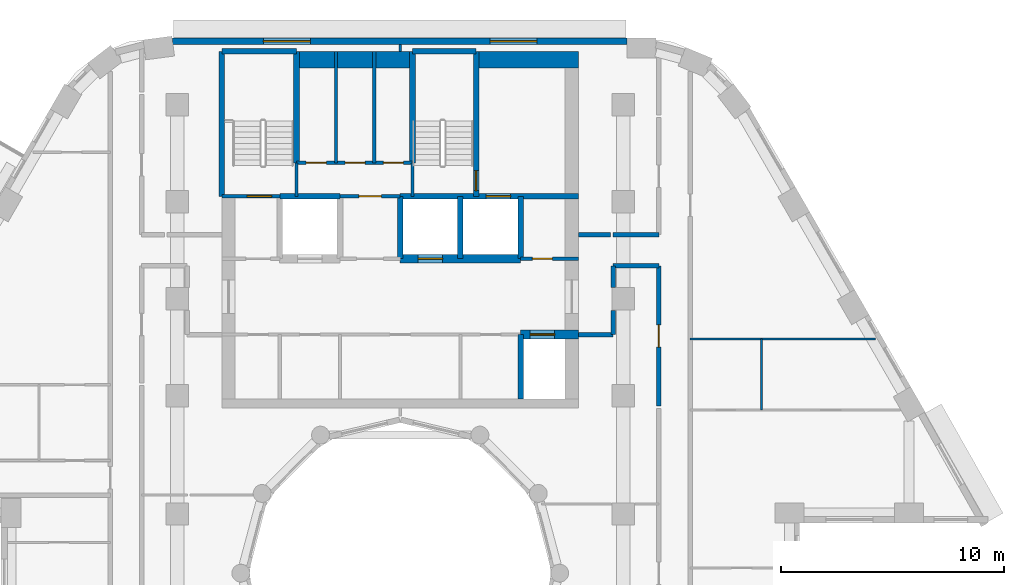
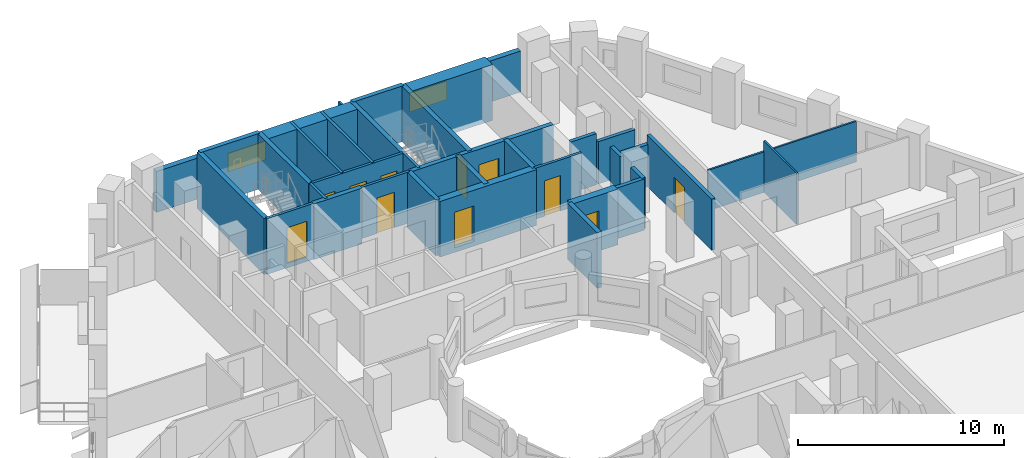
# One storey, part 8 of 13: 35 walls, 11 doors, 2 windows, 13 openings.
"""IFC4 building model written with IfcOpenShell, lengths in metres."""

from ifc_helpers import new_model, si_unit, direction, frame, frame_2d, origin, place, context, subcontext, project, spatial, rectangle, extrude, material, layer, layer_set, type_object, element, fill, save


model = new_model("IFC4")

# Units and contexts
model_context = context("Model", 3, precision=1e-05, world=origin(), true_north=direction((0.0, 1.0)))
body_context = subcontext(model_context, "Body", "Model", "MODEL_VIEW")
ifc_project = project(units=[si_unit("LENGTHUNIT", "METRE"), si_unit("AREAUNIT", "SQUARE_METRE"), si_unit("VOLUMEUNIT", "CUBIC_METRE"), si_unit("PLANEANGLEUNIT", "RADIAN"), si_unit("MASSUNIT", "GRAM", prefix="KILO")], contexts=[model_context])

# Site, building, storey
site_placement = place(None, origin())
site = spatial("IfcSite", under=ifc_project, at=site_placement, CompositionType="ELEMENT")
building_placement = place(site_placement, origin())
building = spatial("IfcBuilding", under=site, at=building_placement, Name="Nakaniwa Court", CompositionType="ELEMENT")
storey_placement = place(building_placement, frame((0.0, 0.0, 147.0)))
storey = spatial("IfcBuildingStorey", under=building, at=storey_placement, Name="L38", CompositionType="ELEMENT", Elevation=147.0)

# Wall, opening, door
ifc_material_1 = material(Name="Acoustic double stud partition")
ifc_layer_1 = layer(ifc_material_1, 0.199951171875)
ifc_layer_set_1 = layer_set([ifc_layer_1], Name="Acoustic double stud partition")
wall_type_1 = type_object("IfcWallType", Name="Acoustic double stud partition 200", PredefinedType="PARTITIONING", material=ifc_layer_set_1)
wall_1_placement = place(storey_placement, frame((91.60009765625, 87.4873046875, 0.0), z_axis=(0.0, 0.0, 1.0), x_axis=(0.0, 1.0, 0.0)))
wall_1 = element("IfcWall", 1, at=wall_1_placement, inside=storey, type_object=wall_type_1, Name="Partition PW-076", PredefinedType="PARTITIONING", context=body_context, shape_type="SweptSolid", body=[
    extrude(rectangle(XDim=6.28759765625, YDim=0.199951171875, at=frame_2d((3.143798828125, 0.0))), origin(), (0.0, 0.0, 1.0), 3.02490234375),
])
opening_1_placement = place(wall_1_placement, frame((2.64501953125, 0.0, 0.0)))
opening_1 = element("IfcOpeningElement", 2, at=opening_1_placement, cuts=wall_1, Name="Opening D-02-10", PredefinedType="OPENING", context=body_context, shape_type="SweptSolid", body=[
    extrude(rectangle(XDim=1.0, YDim=2.10009765625, at=frame_2d((0.5, 1.050048828125))), frame((0.0, 0.10986328125, 0.0), z_axis=(0.0, -1.0, 0.0), x_axis=(1.0, 0.0, 0.0)), (0.0, 0.0, 1.0), 0.219970703125),
])
ifc_material_2 = material(Name="Solid core timber door set, black veneer", Category="wood")
door_type_1 = type_object("IfcDoorType", Name="Internal door 1000", OperationType="NOTDEFINED", PredefinedType="DOOR", material=ifc_material_2)
door_1_placement = place(opening_1_placement, origin())
door_1 = element("IfcDoor", 3, at=door_1_placement, inside=storey, type_object=door_type_1, Name="Door D-02-10 L38-051", OperationType="SINGLE_SWING_RIGHT", OverallHeight=2.10009765625, OverallWidth=1.0, PredefinedType="DOOR", context=body_context, shape_type="SweptSolid", body=[
    extrude(rectangle(XDim=1.0, YDim=2.10009765625, at=frame_2d((0.5, 1.050048828125))), frame((0.0, 0.02490234375, 0.0), z_axis=(0.0, -1.0, 0.0), x_axis=(1.0, 0.0, 0.0)), (0.0, 0.0, 1.0), 0.050048828125),
])
fill(opening_1, door_1)

# Walls
wall_2_placement = place(storey_placement, frame((89.550048828125, 90.699951171875, 0.0), z_axis=(0.0, 0.0, 1.0), x_axis=(0.0, 1.0, 0.0)))
element("IfcWall", 4, at=wall_2_placement, inside=storey, type_object=wall_type_1, Name="Partition PW-088", PredefinedType="PARTITIONING", context=body_context, shape_type="SweptSolid", body=[
    extrude(rectangle(XDim=1.082763671875, YDim=0.199951171875, at=frame_2d((0.54150390625, 0.0))), origin(), (0.0, 0.0, 1.0), 3.02490234375),
])
wall_3_placement = place(storey_placement, frame((89.550048828125, 92.817138671875, 0.0), z_axis=(0.0, 0.0, 1.0), x_axis=(0.0, 1.0, 0.0)))
element("IfcWall", 5, at=wall_3_placement, inside=storey, type_object=wall_type_1, Name="Partition PW-089", PredefinedType="PARTITIONING", context=body_context, shape_type="SweptSolid", body=[
    extrude(rectangle(XDim=0.957763671875, YDim=0.199951171875, at=frame_2d((0.47900390625, 0.0))), origin(), (0.0, 0.0, 1.0), 3.02490234375),
])
wall_4_placement = place(storey_placement, frame((89.550048828125, 93.77490234375, 0.0), z_axis=(0.0, 0.0, 1.0), x_axis=(1.0, 0.0, 0.0)))
element("IfcWall", 6, at=wall_4_placement, inside=storey, type_object=wall_type_1, Name="Partition PW-093", PredefinedType="PARTITIONING", context=body_context, shape_type="SweptSolid", body=[
    extrude(rectangle(XDim=2.050048828125, YDim=0.199951171875, at=frame_2d((1.02490234375, 0.0))), origin(), (0.0, 0.0, 1.0), 2.5048828125),
])
wall_5_placement = place(storey_placement, frame((88.0, 90.699951171875, 0.0), z_axis=(0.0, 0.0, 1.0), x_axis=(1.0, 0.0, 0.0)))
element("IfcWall", 7, at=wall_5_placement, inside=storey, type_object=wall_type_1, Name="Partition PW-095", PredefinedType="PARTITIONING", context=body_context, shape_type="SweptSolid", body=[
    extrude(rectangle(XDim=1.550048828125, YDim=0.199951171875, at=frame_2d((0.77490234375, 0.0))), origin(), (0.0, 0.0, 1.0), 3.02490234375),
])
wall_6_placement = place(storey_placement, frame((88.0, 95.175048828125, 0.0), z_axis=(0.0, 0.0, 1.0), x_axis=(1.0, 0.0, 0.0)))
element("IfcWall", 8, at=wall_6_placement, inside=storey, type_object=wall_type_1, Name="Partition PW-098", PredefinedType="PARTITIONING", context=body_context, shape_type="SweptSolid", body=[
    extrude(rectangle(XDim=1.4228515625, YDim=0.199951171875, at=frame_2d((0.71142578125, 0.0))), origin(), (0.0, 0.0, 1.0), 3.02490234375),
])
wall_7_placement = place(storey_placement, frame((89.537109375, 95.175048828125, 0.0), z_axis=(0.0, 0.0, 1.0), x_axis=(1.0, 0.0, 0.0)))
element("IfcWall", 9, at=wall_7_placement, inside=storey, type_object=wall_type_1, Name="Partition PW-099", PredefinedType="PARTITIONING", context=body_context, shape_type="SweptSolid", body=[
    extrude(rectangle(XDim=2.06298828125, YDim=0.199951171875, at=frame_2d((1.031494140625, 0.0))), origin(), (0.0, 0.0, 1.0), 2.5048828125),
])

# Wall, openings, windows
ifc_material_3 = material(Name="Charcoal ceramic cladding")
ifc_layer_2 = layer(ifc_material_3, 0.02, Name="Ceramic cladding")
ifc_material_4 = material(Name="Ventilated air cavity")
ifc_layer_3 = layer(ifc_material_4, 0.04, ventilated=True, Name="Ventilated cavity")
ifc_material_5 = material(Name="Mineral wool insulation")
ifc_layer_4 = layer(ifc_material_5, 0.1, Name="Insulation")
ifc_material_6 = material(Name="Cement bonded sheathing board")
ifc_layer_5 = layer(ifc_material_6, 0.012, Name="Sheathing")
ifc_material_7 = material(Name="Cold-formed galvanised stud frame with mineral wool infill")
ifc_layer_6 = layer(ifc_material_7, 0.1, Name="Stud frame")
ifc_material_8 = material(Name="Fire-rated gypsum plasterboard lining")
ifc_layer_7 = layer(ifc_material_8, 0.028, Name="Lining")
ifc_layer_set_2 = layer_set([ifc_layer_2, ifc_layer_3, ifc_layer_4, ifc_layer_5, ifc_layer_6, ifc_layer_7], Name="Charcoal ceramic faced external wall system")
wall_type_2 = type_object("IfcWallType", Name="Black ceramic faced external wall 300", PredefinedType="SOLIDWALL", material=ifc_layer_set_2)
wall_8_placement = place(storey_placement, frame((90.1787109375, 103.85009765625, 0.0), z_axis=(0.0, 0.0, 1.0), x_axis=(-1.0, 0.0, 0.0)))
wall_8 = element("IfcWall", 10, at=wall_8_placement, inside=storey, type_object=wall_type_2, Name="L38 external wall 08", PredefinedType="SOLIDWALL", context=body_context, shape_type="SweptSolid", body=[
    extrude(rectangle(XDim=20.391357421875, YDim=0.300048828125, at=frame_2d((10.19580078125, 0.0))), origin(), (0.0, 0.0, 1.0), 2.425048828125),
])
opening_2_placement = place(wall_8_placement, frame((4.05126953125, 0.0, 0.89990234375)))
opening_2 = element("IfcOpeningElement", 11, at=opening_2_placement, cuts=wall_8, Name="Opening W7.09", PredefinedType="OPENING", context=body_context, shape_type="SweptSolid", body=[
    extrude(rectangle(XDim=2.10009765625, YDim=1.10009765625, at=frame_2d((1.050048828125, 0.550048828125))), frame((0.0, 0.159912109375, 0.0), z_axis=(0.0, -1.0, 0.0), x_axis=(1.0, 0.0, 0.0)), (0.0, 0.0, 1.0), 0.320068359375),
])
opening_3_placement = place(wall_8_placement, frame((14.211669921875, 0.0, 0.89990234375)))
opening_3 = element("IfcOpeningElement", 12, at=opening_3_placement, cuts=wall_8, Name="Opening W7.10", PredefinedType="OPENING", context=body_context, shape_type="SweptSolid", body=[
    extrude(rectangle(XDim=2.10009765625, YDim=1.10009765625, at=frame_2d((1.050048828125, 0.550048828125))), frame((0.0, 0.159912109375, 0.0), z_axis=(0.0, -1.0, 0.0), x_axis=(1.0, 0.0, 0.0)), (0.0, 0.0, 1.0), 0.320068359375),
])
ifc_material_9 = material(Name="Black anodised aluminium frame with dark low-E laminated double glazing", Category="aluminium")
window_type = type_object("IfcWindowType", Name="Dark glass window 2100x1100 sill 900", PartitioningType="SINGLE_PANEL", PredefinedType="WINDOW", material=ifc_material_9)
window_1_placement = place(opening_2_placement, origin())
window_1 = element("IfcWindow", 13, at=window_1_placement, inside=storey, type_object=window_type, Name="L38 habitable room window 08-0", OverallHeight=1.10009765625, OverallWidth=2.10009765625, PartitioningType="SINGLE_PANEL", PredefinedType="WINDOW", context=body_context, shape_type="SweptSolid", body=[
    extrude(rectangle(XDim=2.10009765625, YDim=1.10009765625, at=frame_2d((1.050048828125, 0.550048828125))), frame((0.0, 0.030029296875, 0.0), z_axis=(0.0, -1.0, 0.0), x_axis=(1.0, 0.0, 0.0)), (0.0, 0.0, 1.0), 0.06005859375),
])
fill(opening_2, window_1)
window_2_placement = place(opening_3_placement, origin())
window_2 = element("IfcWindow", 14, at=window_2_placement, inside=storey, type_object=window_type, Name="L38 habitable room window 08-1", OverallHeight=1.10009765625, OverallWidth=2.10009765625, PartitioningType="SINGLE_PANEL", PredefinedType="WINDOW", context=body_context, shape_type="SweptSolid", body=[
    extrude(rectangle(XDim=2.10009765625, YDim=1.10009765625, at=frame_2d((1.050048828125, 0.550048828125))), frame((0.0, 0.030029296875, 0.0), z_axis=(0.0, -1.0, 0.0), x_axis=(1.0, 0.0, 0.0)), (0.0, 0.0, 1.0), 0.06005859375),
])
fill(opening_3, window_2)

# Wall, opening, door
ifc_material_10 = material(Name="Blockwork partition", Category="masonry")
ifc_layer_8 = layer(ifc_material_10, 0.14990234375)
ifc_layer_set_3 = layer_set([ifc_layer_8], Name="Blockwork partition")
wall_type_3 = type_object("IfcWallType", Name="Blockwork partition 150", PredefinedType="PARTITIONING", material=ifc_layer_set_3)
wall_9_placement = place(storey_placement, frame((85.39697265625, 94.10009765625, 0.0), z_axis=(0.0, 0.0, 1.0), x_axis=(1.0, 0.0, 0.0)))
wall_9 = element("IfcWall", 15, at=wall_9_placement, inside=storey, type_object=wall_type_3, Name="Partition PW-012", PredefinedType="PARTITIONING", context=body_context, shape_type="SweptSolid", body=[
    extrude(rectangle(XDim=2.60302734375, YDim=0.14990234375, at=frame_2d((1.301513671875, 0.0))), origin(), (0.0, 0.0, 1.0), 3.02490234375),
])
opening_4_placement = place(wall_9_placement, frame((0.528076171875, 0.0, 0.0)))
opening_4 = element("IfcOpeningElement", 16, at=opening_4_placement, cuts=wall_9, Name="Opening D-05-05", PredefinedType="OPENING", context=body_context, shape_type="SweptSolid", body=[
    extrude(rectangle(XDim=0.89990234375, YDim=2.10009765625, at=frame_2d((0.449951171875, 1.050048828125))), frame((0.0, 0.0849609375, 0.0), z_axis=(0.0, -1.0, 0.0), x_axis=(1.0, 0.0, 0.0)), (0.0, 0.0, 1.0), 0.169921875),
])
ifc_material_11 = material(Name="Fire rated steel door set", Category="steel")
door_type_2 = type_object("IfcDoorType", Name="Service room door 900", OperationType="NOTDEFINED", PredefinedType="DOOR", material=ifc_material_11)
door_2_placement = place(opening_4_placement, origin())
door_2 = element("IfcDoor", 17, at=door_2_placement, inside=storey, type_object=door_type_2, Name="Door D-05-05 L38-007", OperationType="SINGLE_SWING_RIGHT", OverallHeight=2.10009765625, OverallWidth=0.89990234375, PredefinedType="DOOR", context=body_context, shape_type="SweptSolid", body=[
    extrude(rectangle(XDim=0.89990234375, YDim=2.10009765625, at=frame_2d((0.449951171875, 1.050048828125))), frame((0.0, 0.02490234375, 0.0), z_axis=(0.0, -1.0, 0.0), x_axis=(1.0, 0.0, 0.0)), (0.0, 0.0, 1.0), 0.050048828125),
])
fill(opening_4, door_2)

wall_10_placement = place(storey_placement, frame((77.300048828125, 96.89990234375, 0.0), z_axis=(0.0, 0.0, 1.0), x_axis=(1.0, 0.0, 0.0)))
wall_10 = element("IfcWall", 18, at=wall_10_placement, inside=storey, type_object=wall_type_3, Name="Partition PW-021", PredefinedType="PARTITIONING", context=body_context, shape_type="SweptSolid", body=[
    extrude(rectangle(XDim=2.699951171875, YDim=0.14990234375, at=frame_2d((1.35009765625, 0.0))), origin(), (0.0, 0.0, 1.0), 3.02490234375),
])
opening_5_placement = place(wall_10_placement, frame((0.85009765625, 0.0, 0.0)))
opening_5 = element("IfcOpeningElement", 19, at=opening_5_placement, cuts=wall_10, Name="Opening D-23-01", PredefinedType="OPENING", context=body_context, shape_type="SweptSolid", body=[
    extrude(rectangle(XDim=1.0, YDim=2.10009765625, at=frame_2d((0.5, 1.050048828125))), frame((0.0, 0.0849609375, 0.0), z_axis=(0.0, -1.0, 0.0), x_axis=(1.0, 0.0, 0.0)), (0.0, 0.0, 1.0), 0.169921875),
])
door_type_3 = type_object("IfcDoorType", Name="Service room door 1000", OperationType="NOTDEFINED", PredefinedType="DOOR", material=ifc_material_11)
door_3_placement = place(opening_5_placement, origin())
door_3 = element("IfcDoor", 20, at=door_3_placement, inside=storey, type_object=door_type_3, Name="Door D-23-01 L38-008", OperationType="SINGLE_SWING_LEFT", OverallHeight=2.10009765625, OverallWidth=1.0, PredefinedType="DOOR", context=body_context, shape_type="SweptSolid", body=[
    extrude(rectangle(XDim=1.0, YDim=2.10009765625, at=frame_2d((0.5, 1.050048828125))), frame((0.0, 0.02490234375, 0.0), z_axis=(0.0, -1.0, 0.0), x_axis=(1.0, 0.0, 0.0)), (0.0, 0.0, 1.0), 0.050048828125),
])
fill(opening_5, door_3)

# Wall, openings, doors
wall_11_placement = place(storey_placement, frame((75.35009765625, 98.39990234375, 0.0), z_axis=(0.0, 0.0, 1.0), x_axis=(1.0, 0.0, 0.0)))
wall_11 = element("IfcWall", 21, at=wall_11_placement, inside=storey, type_object=wall_type_3, Name="Partition PW-033", PredefinedType="PARTITIONING", context=body_context, shape_type="SweptSolid", body=[
    extrude(rectangle(XDim=5.199951171875, YDim=0.14990234375, at=frame_2d((2.60009765625, 0.0))), origin(), (0.0, 0.0, 1.0), 3.02490234375),
])
opening_6_placement = place(wall_11_placement, frame((0.43408203125, 0.0, 0.0)))
opening_6 = element("IfcOpeningElement", 22, at=opening_6_placement, cuts=wall_11, Name="Opening D-05-06", PredefinedType="OPENING", context=body_context, shape_type="SweptSolid", body=[
    extrude(rectangle(XDim=0.89990234375, YDim=2.10009765625, at=frame_2d((0.449951171875, 1.050048828125))), frame((0.0, 0.0849609375, 0.0), z_axis=(0.0, -1.0, 0.0), x_axis=(1.0, 0.0, 0.0)), (0.0, 0.0, 1.0), 0.169921875),
])
opening_7_placement = place(wall_11_placement, frame((2.176025390625, 0.0, 0.0)))
opening_7 = element("IfcOpeningElement", 23, at=opening_7_placement, cuts=wall_11, Name="Opening D-05-07", PredefinedType="OPENING", context=body_context, shape_type="SweptSolid", body=[
    extrude(rectangle(XDim=0.89990234375, YDim=2.10009765625, at=frame_2d((0.449951171875, 1.050048828125))), frame((0.0, 0.0849609375, 0.0), z_axis=(0.0, -1.0, 0.0), x_axis=(1.0, 0.0, 0.0)), (0.0, 0.0, 1.0), 0.169921875),
])
opening_8_placement = place(wall_11_placement, frame((3.89208984375, 0.0, 0.0)))
opening_8 = element("IfcOpeningElement", 24, at=opening_8_placement, cuts=wall_11, Name="Opening D-05-08", PredefinedType="OPENING", context=body_context, shape_type="SweptSolid", body=[
    extrude(rectangle(XDim=0.89990234375, YDim=2.10009765625, at=frame_2d((0.449951171875, 1.050048828125))), frame((0.0, 0.0849609375, 0.0), z_axis=(0.0, -1.0, 0.0), x_axis=(1.0, 0.0, 0.0)), (0.0, 0.0, 1.0), 0.169921875),
])
door_4_placement = place(opening_6_placement, origin())
door_4 = element("IfcDoor", 25, at=door_4_placement, inside=storey, type_object=door_type_2, Name="Door D-05-06 L38-009", OperationType="SINGLE_SWING_RIGHT", OverallHeight=2.10009765625, OverallWidth=0.89990234375, PredefinedType="DOOR", context=body_context, shape_type="SweptSolid", body=[
    extrude(rectangle(XDim=0.89990234375, YDim=2.10009765625, at=frame_2d((0.449951171875, 1.050048828125))), frame((0.0, 0.02490234375, 0.0), z_axis=(0.0, -1.0, 0.0), x_axis=(1.0, 0.0, 0.0)), (0.0, 0.0, 1.0), 0.050048828125),
])
fill(opening_6, door_4)
door_5_placement = place(opening_7_placement, origin())
door_5 = element("IfcDoor", 26, at=door_5_placement, inside=storey, type_object=door_type_2, Name="Door D-05-07 L38-010", OperationType="SINGLE_SWING_LEFT", OverallHeight=2.10009765625, OverallWidth=0.89990234375, PredefinedType="DOOR", context=body_context, shape_type="SweptSolid", body=[
    extrude(rectangle(XDim=0.89990234375, YDim=2.10009765625, at=frame_2d((0.449951171875, 1.050048828125))), frame((0.0, 0.02490234375, 0.0), z_axis=(0.0, -1.0, 0.0), x_axis=(1.0, 0.0, 0.0)), (0.0, 0.0, 1.0), 0.050048828125),
])
fill(opening_7, door_5)
door_6_placement = place(opening_8_placement, origin())
door_6 = element("IfcDoor", 27, at=door_6_placement, inside=storey, type_object=door_type_2, Name="Door D-05-08 L38-011", OperationType="SINGLE_SWING_RIGHT", OverallHeight=2.10009765625, OverallWidth=0.89990234375, PredefinedType="DOOR", context=body_context, shape_type="SweptSolid", body=[
    extrude(rectangle(XDim=0.89990234375, YDim=2.10009765625, at=frame_2d((0.449951171875, 1.050048828125))), frame((0.0, 0.02490234375, 0.0), z_axis=(0.0, -1.0, 0.0), x_axis=(1.0, 0.0, 0.0)), (0.0, 0.0, 1.0), 0.050048828125),
])
fill(opening_8, door_6)

# Walls
for number, where, z_axis, x_axis, name in (
    (28, (77.117919921875, 98.39990234375, 0.0), (0.0, 0.0, 1.0), (0.0, 1.0, 0.0), "Partition PW-034"),
    (29, (78.833984375, 98.39990234375, 0.0), (0.0, 0.0, 1.0), (0.0, 1.0, 0.0), "Partition PW-035"),
):
    element("IfcWall", number, at=place(storey_placement, frame(where, z_axis=z_axis, x_axis=x_axis)), inside=storey, type_object=wall_type_3, Name=name, PredefinedType="PARTITIONING", context=body_context, shape_type="SweptSolid", body=[
        extrude(rectangle(XDim=5.0, YDim=0.14990234375, at=frame_2d((2.5, 0.0))), origin(), (0.0, 0.0, 1.0), 3.02490234375),
    ])

# Wall, opening, door
ifc_material_12 = material(Name="Concrete C80/100", Category="concrete")
ifc_layer_9 = layer(ifc_material_12, 0.39990234375)
ifc_layer_set_4 = layer_set([ifc_layer_9], Name="Concrete C80/100")
wall_type_4 = type_object("IfcWallType", Name="Concrete core spine wall 400 C80", PredefinedType="SHEAR", material=ifc_layer_set_4)
wall_12_placement = place(storey_placement, frame((85.39990234375, 90.699951171875, -0.27490234375), z_axis=(0.0, 0.0, 1.0), x_axis=(1.0, 0.0, 0.0)))
wall_12 = element("IfcWall", 30, at=wall_12_placement, inside=storey, type_object=wall_type_4, Name="Core wall SW-06", PredefinedType="SHEAR", context=body_context, shape_type="SweptSolid", body=[
    extrude(rectangle(XDim=2.60009765625, YDim=0.39990234375, at=frame_2d((1.300048828125, 0.0))), origin(), (0.0, 0.0, 1.0), 3.2998046875),
])
opening_9_placement = place(wall_12_placement, frame((0.425048828125, 0.0, 0.27490234375)))
opening_9 = element("IfcOpeningElement", 31, at=opening_9_placement, cuts=wall_12, Name="Opening LD01", PredefinedType="OPENING", context=body_context, shape_type="SweptSolid", body=[
    extrude(rectangle(XDim=1.10009765625, YDim=2.10009765625, at=frame_2d((0.550048828125, 1.050048828125))), frame((0.0, 0.2099609375, 0.0), z_axis=(0.0, -1.0, 0.0), x_axis=(1.0, 0.0, 0.0)), (0.0, 0.0, 1.0), 0.419921875),
])
ifc_material_13 = material(Name="Stainless steel sliding lift landing door", Category="steel")
door_type_4 = type_object("IfcDoorType", Name="Lift landing door 1100", OperationType="NOTDEFINED", PredefinedType="DOOR", material=ifc_material_13)
door_7_placement = place(opening_9_placement, origin())
door_7 = element("IfcDoor", 32, at=door_7_placement, inside=storey, type_object=door_type_4, Name="Lift landing door LD01 L38-001", OperationType="SLIDING_TO_LEFT", OverallHeight=2.10009765625, OverallWidth=1.10009765625, PredefinedType="DOOR", context=body_context, shape_type="SweptSolid", body=[
    extrude(rectangle(XDim=1.10009765625, YDim=2.10009765625, at=frame_2d((0.550048828125, 1.050048828125))), frame((0.0, 0.02490234375, 0.0), z_axis=(0.0, -1.0, 0.0), x_axis=(1.0, 0.0, 0.0)), (0.0, 0.0, 1.0), 0.050048828125),
])
fill(opening_9, door_7)

wall_13_placement = place(storey_placement, frame((79.9970703125, 94.10009765625, -0.27490234375), z_axis=(0.0, 0.0, 1.0), x_axis=(1.0, 0.0, 0.0)))
wall_13 = element("IfcWall", 33, at=wall_13_placement, inside=storey, type_object=wall_type_4, Name="Core wall SW-14", PredefinedType="SHEAR", context=body_context, shape_type="SweptSolid", body=[
    extrude(rectangle(XDim=5.406005859375, YDim=0.39990234375, at=frame_2d((2.703125, 0.0))), origin(), (0.0, 0.0, 1.0), 3.2998046875),
])
opening_10_placement = place(wall_13_placement, frame((0.802978515625, 0.0, 0.27490234375)))
opening_10 = element("IfcOpeningElement", 34, at=opening_10_placement, cuts=wall_13, Name="Opening LD03", PredefinedType="OPENING", context=body_context, shape_type="SweptSolid", body=[
    extrude(rectangle(XDim=1.10009765625, YDim=2.10009765625, at=frame_2d((0.550048828125, 1.050048828125))), frame((0.0, 0.2099609375, 0.0), z_axis=(0.0, -1.0, 0.0), x_axis=(1.0, 0.0, 0.0)), (0.0, 0.0, 1.0), 0.419921875),
])
door_8_placement = place(opening_10_placement, origin())
door_8 = element("IfcDoor", 35, at=door_8_placement, inside=storey, type_object=door_type_4, Name="Lift landing door LD03 L38-003", OperationType="SLIDING_TO_LEFT", OverallHeight=2.10009765625, OverallWidth=1.10009765625, PredefinedType="DOOR", context=body_context, shape_type="SweptSolid", body=[
    extrude(rectangle(XDim=1.10009765625, YDim=2.10009765625, at=frame_2d((0.550048828125, 1.050048828125))), frame((0.0, 0.02490234375, 0.0), z_axis=(0.0, -1.0, 0.0), x_axis=(1.0, 0.0, 0.0)), (0.0, 0.0, 1.0), 0.050048828125),
])
fill(opening_10, door_8)

ifc_layer_10 = layer(ifc_material_12, 0.14990234375)
ifc_layer_set_5 = layer_set([ifc_layer_10], Name="Concrete C80/100")
wall_type_5 = type_object("IfcWallType", Name="Concrete core wall 150 C80", PredefinedType="SHEAR", material=ifc_layer_set_5)
wall_14_placement = place(storey_placement, frame((74.60009765625, 96.89990234375, -0.27490234375), z_axis=(0.0, 0.0, 1.0), x_axis=(-1.0, 0.0, 0.0)))
wall_14 = element("IfcWall", 36, at=wall_14_placement, inside=storey, type_object=wall_type_5, Name="Core wall SW-16", PredefinedType="SHEAR", context=body_context, shape_type="SweptSolid", body=[
    extrude(rectangle(XDim=2.60009765625, YDim=0.14990234375, at=frame_2d((1.300048828125, 0.0))), origin(), (0.0, 0.0, 1.0), 3.2998046875),
])
opening_11_placement = place(wall_14_placement, frame((0.3701171875, 0.0, 0.27490234375)))
opening_11 = element("IfcOpeningElement", 37, at=opening_11_placement, cuts=wall_14, Name="Opening D-09-01", PredefinedType="OPENING", context=body_context, shape_type="SweptSolid", body=[
    extrude(rectangle(XDim=1.10009765625, YDim=2.10009765625, at=frame_2d((0.550048828125, 1.050048828125))), frame((0.0, 0.0849609375, 0.0), z_axis=(0.0, -1.0, 0.0), x_axis=(1.0, 0.0, 0.0)), (0.0, 0.0, 1.0), 0.169921875),
])
door_type_5 = type_object("IfcDoorType", Name="Stair door 1100", OperationType="NOTDEFINED", PredefinedType="DOOR", material=ifc_material_11)
door_9_placement = place(opening_11_placement, origin())
door_9 = element("IfcDoor", 38, at=door_9_placement, inside=storey, type_object=door_type_5, Name="Door D-09-01 L38-012", OperationType="SINGLE_SWING_RIGHT", OverallHeight=2.10009765625, OverallWidth=1.10009765625, PredefinedType="DOOR", context=body_context, shape_type="SweptSolid", body=[
    extrude(rectangle(XDim=1.10009765625, YDim=2.10009765625, at=frame_2d((0.550048828125, 1.050048828125))), frame((0.0, 0.02490234375, 0.0), z_axis=(0.0, -1.0, 0.0), x_axis=(1.0, 0.0, 0.0)), (0.0, 0.0, 1.0), 0.050048828125),
])
fill(opening_11, door_9)

# Walls
for number, where, z_axis, x_axis, name in (
    (39, (75.35009765625, 96.89990234375, -0.27490234375), (0.0, 0.0, 1.0), (0.0, 1.0, 0.0), "Core wall SW-23"),
    (40, (80.550048828125, 96.89990234375, -0.27490234375), (0.0, 0.0, 1.0), (0.0, 1.0, 0.0), "Core wall SW-29"),
):
    element("IfcWall", number, at=place(storey_placement, frame(where, z_axis=z_axis, x_axis=x_axis)), inside=storey, type_object=wall_type_5, Name=name, PredefinedType="SHEAR", context=body_context, shape_type="SweptSolid", body=[
        extrude(rectangle(XDim=1.503173828125, YDim=0.14990234375, at=frame_2d((0.75146484375, 0.0))), origin(), (0.0, 0.0, 1.0), 3.2998046875),
    ])
ifc_layer_11 = layer(ifc_material_12, 0.25)
ifc_layer_set_6 = layer_set([ifc_layer_11], Name="Concrete C80/100")
wall_type_6 = type_object("IfcWallType", Name="Concrete core wall 250 C80", PredefinedType="SHEAR", material=ifc_layer_set_6)
wall_15_placement = place(storey_placement, frame((72.0, 103.39990234375, -0.27490234375), z_axis=(0.0, 0.0, 1.0), x_axis=(1.0, 0.0, 0.0)))
element("IfcWall", 41, at=wall_15_placement, inside=storey, type_object=wall_type_6, Name="Core wall SW-25", PredefinedType="SHEAR", context=body_context, shape_type="SweptSolid", body=[
    extrude(rectangle(XDim=3.35009765625, YDim=0.25, at=frame_2d((1.675048828125, 0.0))), origin(), (0.0, 0.0, 1.0), 3.2998046875),
])
wall_16_placement = place(storey_placement, frame((80.550048828125, 103.39990234375, -0.27490234375), z_axis=(0.0, 0.0, 1.0), x_axis=(1.0, 0.0, 0.0)))
element("IfcWall", 42, at=wall_16_placement, inside=storey, type_object=wall_type_6, Name="Core wall SW-26", PredefinedType="SHEAR", context=body_context, shape_type="SweptSolid", body=[
    extrude(rectangle(XDim=2.849853515625, YDim=0.25, at=frame_2d((1.4248046875, 0.0))), origin(), (0.0, 0.0, 1.0), 3.2998046875),
])
wall_17_placement = place(storey_placement, frame((72.0, 96.89990234375, -0.27490234375), z_axis=(0.0, 0.0, 1.0), x_axis=(0.0, 1.0, 0.0)))
element("IfcWall", 43, at=wall_17_placement, inside=storey, type_object=wall_type_6, Name="Core wall SW-27", PredefinedType="SHEAR", context=body_context, shape_type="SweptSolid", body=[
    extrude(rectangle(XDim=6.5, YDim=0.25, at=frame_2d((3.25, 0.0))), origin(), (0.0, 0.0, 1.0), 3.2998046875),
])
ifc_layer_12 = layer(ifc_material_12, 0.75)
ifc_layer_set_7 = layer_set([ifc_layer_12], Name="Concrete C80/100")
wall_type_7 = type_object("IfcWallType", Name="Concrete core wall 750 C80", PredefinedType="SHEAR", material=ifc_layer_set_7)
wall_18_placement = place(storey_placement, frame((75.35009765625, 103.02490234375, -0.27490234375), z_axis=(0.0, 0.0, 1.0), x_axis=(1.0, 0.0, 0.0)))
element("IfcWall", 44, at=wall_18_placement, inside=storey, type_object=wall_type_7, Name="Core wall SW-31", PredefinedType="SHEAR", context=body_context, shape_type="SweptSolid", body=[
    extrude(rectangle(XDim=5.199951171875, YDim=0.75, at=frame_2d((2.60009765625, 0.0))), origin(), (0.0, 0.0, 1.0), 3.2998046875),
])
wall_19_placement = place(storey_placement, frame((83.39990234375, 103.02490234375, -0.27490234375), z_axis=(0.0, 0.0, 1.0), x_axis=(1.0, 0.0, 0.0)))
element("IfcWall", 45, at=wall_19_placement, inside=storey, type_object=wall_type_7, Name="Core wall SW-32", PredefinedType="SHEAR", context=body_context, shape_type="SweptSolid", body=[
    extrude(rectangle(XDim=4.60009765625, YDim=0.75, at=frame_2d((2.300048828125, 0.0))), origin(), (0.0, 0.0, 1.0), 3.2998046875),
])
ifc_layer_13 = layer(ifc_material_12, 0.25)
ifc_layer_set_8 = layer_set([ifc_layer_13], Name="Concrete C80/100")
wall_type_8 = type_object("IfcWallType", Name="Concrete shaft wall 250 C80", PredefinedType="SHEAR", material=ifc_layer_set_8)
wall_20_placement = place(storey_placement, frame((85.39990234375, 87.800048828125, -0.27490234375), z_axis=(0.0, 0.0, 1.0), x_axis=(0.0, 1.0, 0.0)))
element("IfcWall", 46, at=wall_20_placement, inside=storey, type_object=wall_type_8, Name="Core wall SW-04", PredefinedType="SHEAR", context=body_context, shape_type="SweptSolid", body=[
    extrude(rectangle(XDim=2.89990234375, YDim=0.25, at=frame_2d((1.449951171875, 0.0))), origin(), (0.0, 0.0, 1.0), 3.2998046875),
])
wall_21_placement = place(storey_placement, frame((85.39990234375, 94.10009765625, -0.27490234375), z_axis=(0.0, 0.0, 1.0), x_axis=(0.0, 1.0, 0.0)))
element("IfcWall", 47, at=wall_21_placement, inside=storey, type_object=wall_type_8, Name="Core wall SW-05", PredefinedType="SHEAR", context=body_context, shape_type="SweptSolid", body=[
    extrude(rectangle(XDim=2.7998046875, YDim=0.25, at=frame_2d((1.39990234375, 0.0))), origin(), (0.0, 0.0, 1.0), 3.2998046875),
])
wall_22_placement = place(storey_placement, frame((74.60009765625, 96.89990234375, -0.27490234375), z_axis=(0.0, 0.0, 1.0), x_axis=(1.0, 0.0, 0.0)))
element("IfcWall", 48, at=wall_22_placement, inside=storey, type_object=wall_type_8, Name="Core wall SW-18", PredefinedType="SHEAR", context=body_context, shape_type="SweptSolid", body=[
    extrude(rectangle(XDim=2.699951171875, YDim=0.25, at=frame_2d((1.35009765625, 0.0))), origin(), (0.0, 0.0, 1.0), 3.2998046875),
])

# Wall, opening, door
wall_23_placement = place(storey_placement, frame((80.0, 96.89990234375, -0.27490234375), z_axis=(0.0, 0.0, 1.0), x_axis=(1.0, 0.0, 0.0)))
wall_23 = element("IfcWall", 49, at=wall_23_placement, inside=storey, type_object=wall_type_8, Name="Core wall SW-19", PredefinedType="SHEAR", context=body_context, shape_type="SweptSolid", body=[
    extrude(rectangle(XDim=8.0, YDim=0.25, at=frame_2d((4.0, 0.0))), origin(), (0.0, 0.0, 1.0), 3.2998046875),
])
opening_12_placement = place(wall_23_placement, frame((3.84912109375, 0.0, 0.27490234375)))
opening_12 = element("IfcOpeningElement", 50, at=opening_12_placement, cuts=wall_23, Name="Opening LD04", PredefinedType="OPENING", context=body_context, shape_type="SweptSolid", body=[
    extrude(rectangle(XDim=1.10009765625, YDim=2.10009765625, at=frame_2d((0.550048828125, 1.050048828125))), frame((0.0, 0.135009765625, 0.0), z_axis=(0.0, -1.0, 0.0), x_axis=(1.0, 0.0, 0.0)), (0.0, 0.0, 1.0), 0.27001953125),
])
door_10_placement = place(opening_12_placement, origin())
door_10 = element("IfcDoor", 51, at=door_10_placement, inside=storey, type_object=door_type_4, Name="Lift landing door LD04 L38-004", OperationType="SLIDING_TO_LEFT", OverallHeight=2.10009765625, OverallWidth=1.10009765625, PredefinedType="DOOR", context=body_context, shape_type="SweptSolid", body=[
    extrude(rectangle(XDim=1.10009765625, YDim=2.10009765625, at=frame_2d((0.550048828125, 1.050048828125))), frame((0.0, 0.02490234375, 0.0), z_axis=(0.0, -1.0, 0.0), x_axis=(1.0, 0.0, 0.0)), (0.0, 0.0, 1.0), 0.050048828125),
])
fill(opening_12, door_10)

# Walls
for number, where, z_axis, x_axis, name in (
    (52, (80.0, 94.10009765625, -0.27490234375), (0.0, 0.0, 1.0), (0.0, 1.0, 0.0), "Core wall SW-20"),
    (53, (82.699951171875, 94.10009765625, -0.27490234375), (0.0, 0.0, 1.0), (0.0, 1.0, 0.0), "Core wall SW-22"),
):
    element("IfcWall", number, at=place(storey_placement, frame(where, z_axis=z_axis, x_axis=x_axis)), inside=storey, type_object=wall_type_8, Name=name, PredefinedType="SHEAR", context=body_context, shape_type="SweptSolid", body=[
        extrude(rectangle(XDim=2.7998046875, YDim=0.25, at=frame_2d((1.39990234375, 0.0))), origin(), (0.0, 0.0, 1.0), 3.2998046875),
    ])
wall_24_placement = place(storey_placement, frame((75.35009765625, 98.39697265625, -0.27490234375), z_axis=(0.0, 0.0, 1.0), x_axis=(0.0, 1.0, 0.0)))
element("IfcWall", 54, at=wall_24_placement, inside=storey, type_object=wall_type_8, Name="Core wall SW-24", PredefinedType="SHEAR", context=body_context, shape_type="SweptSolid", body=[
    extrude(rectangle(XDim=5.0029296875, YDim=0.25, at=frame_2d((2.50146484375, 0.0))), origin(), (0.0, 0.0, 1.0), 3.2998046875),
])

# Wall, opening, door
wall_25_placement = place(storey_placement, frame((83.39990234375, 103.39990234375, -0.27490234375), z_axis=(0.0, 0.0, 1.0), x_axis=(0.0, -1.0, 0.0)))
wall_25 = element("IfcWall", 55, at=wall_25_placement, inside=storey, type_object=wall_type_8, Name="Core wall SW-28", PredefinedType="SHEAR", context=body_context, shape_type="SweptSolid", body=[
    extrude(rectangle(XDim=6.5, YDim=0.25, at=frame_2d((3.25, 0.0))), origin(), (0.0, 0.0, 1.0), 3.2998046875),
])
opening_13_placement = place(wall_25_placement, frame((5.35009765625, 0.0, 0.27490234375)))
opening_13 = element("IfcOpeningElement", 56, at=opening_13_placement, cuts=wall_25, Name="Opening D-11-01", PredefinedType="OPENING", context=body_context, shape_type="SweptSolid", body=[
    extrude(rectangle(XDim=0.89990234375, YDim=2.10009765625, at=frame_2d((0.449951171875, 1.050048828125))), frame((0.0, 0.135009765625, 0.0), z_axis=(0.0, -1.0, 0.0), x_axis=(1.0, 0.0, 0.0)), (0.0, 0.0, 1.0), 0.27001953125),
])
door_type_6 = type_object("IfcDoorType", Name="Stair door 900", OperationType="NOTDEFINED", PredefinedType="DOOR", material=ifc_material_11)
door_11_placement = place(opening_13_placement, origin())
door_11 = element("IfcDoor", 57, at=door_11_placement, inside=storey, type_object=door_type_6, Name="Door D-11-01 L38-013", OperationType="SINGLE_SWING_LEFT", OverallHeight=2.10009765625, OverallWidth=0.89990234375, PredefinedType="DOOR", context=body_context, shape_type="SweptSolid", body=[
    extrude(rectangle(XDim=0.89990234375, YDim=2.10009765625, at=frame_2d((0.449951171875, 1.050048828125))), frame((0.0, 0.02490234375, 0.0), z_axis=(0.0, -1.0, 0.0), x_axis=(1.0, 0.0, 0.0)), (0.0, 0.0, 1.0), 0.050048828125),
])
fill(opening_13, door_11)

# Walls
wall_26_placement = place(storey_placement, frame((80.550048828125, 98.39697265625, -0.27490234375), z_axis=(0.0, 0.0, 1.0), x_axis=(0.0, 1.0, 0.0)))
element("IfcWall", 58, at=wall_26_placement, inside=storey, type_object=wall_type_8, Name="Core wall SW-30", PredefinedType="SHEAR", context=body_context, shape_type="SweptSolid", body=[
    extrude(rectangle(XDim=5.0029296875, YDim=0.25, at=frame_2d((2.50146484375, 0.0))), origin(), (0.0, 0.0, 1.0), 3.2998046875),
])
ifc_material_14 = material(Name="Single stud plasterboard partition")
ifc_layer_14 = layer(ifc_material_14, 0.10009765625)
ifc_layer_set_9 = layer_set([ifc_layer_14], Name="Single stud plasterboard partition")
wall_type_9 = type_object("IfcWallType", Name="Single stud plasterboard partition 100", PredefinedType="PARTITIONING", material=ifc_layer_set_9)
wall_27_placement = place(storey_placement, frame((80.0, 103.39990234375, 0.0), z_axis=(0.0, 0.0, 1.0), x_axis=(0.0, 1.0, 0.0)))
element("IfcWall", 59, at=wall_27_placement, inside=storey, type_object=wall_type_9, Name="Partition PW-116", PredefinedType="PARTITIONING", context=body_context, shape_type="SweptSolid", body=[
    extrude(rectangle(XDim=0.300048828125, YDim=0.10009765625, at=frame_2d((0.14990234375, 0.0))), origin(), (0.0, 0.0, 1.0), 3.02490234375),
])
wall_28_placement = place(storey_placement, frame((96.200927734375, 87.314453125, 0.0), z_axis=(0.0, 0.0, 1.0), x_axis=(0.0, 1.0, 0.0)))
element("IfcWall", 60, at=wall_28_placement, inside=storey, type_object=wall_type_9, Name="Partition PW-122", PredefinedType="PARTITIONING", context=body_context, shape_type="SweptSolid", body=[
    extrude(rectangle(XDim=3.185546875, YDim=0.10009765625, at=frame_2d((1.5927734375, 0.0))), origin(), (0.0, 0.0, 1.0), 3.02490234375),
])
wall_29_placement = place(storey_placement, frame((93.001220703125, 90.5, 0.0), z_axis=(0.0, 0.0, 1.0), x_axis=(1.0, 0.0, 0.0)))
element("IfcWall", 61, at=wall_29_placement, inside=storey, type_object=wall_type_9, Name="Partition PW-123", PredefinedType="PARTITIONING", context=body_context, shape_type="SweptSolid", body=[
    extrude(rectangle(XDim=8.302978515625, YDim=0.10009765625, at=frame_2d((4.1513671875, 0.0))), origin(), (0.0, 0.0, 1.0), 2.405029296875),
])

save(model, "model.ifc")
